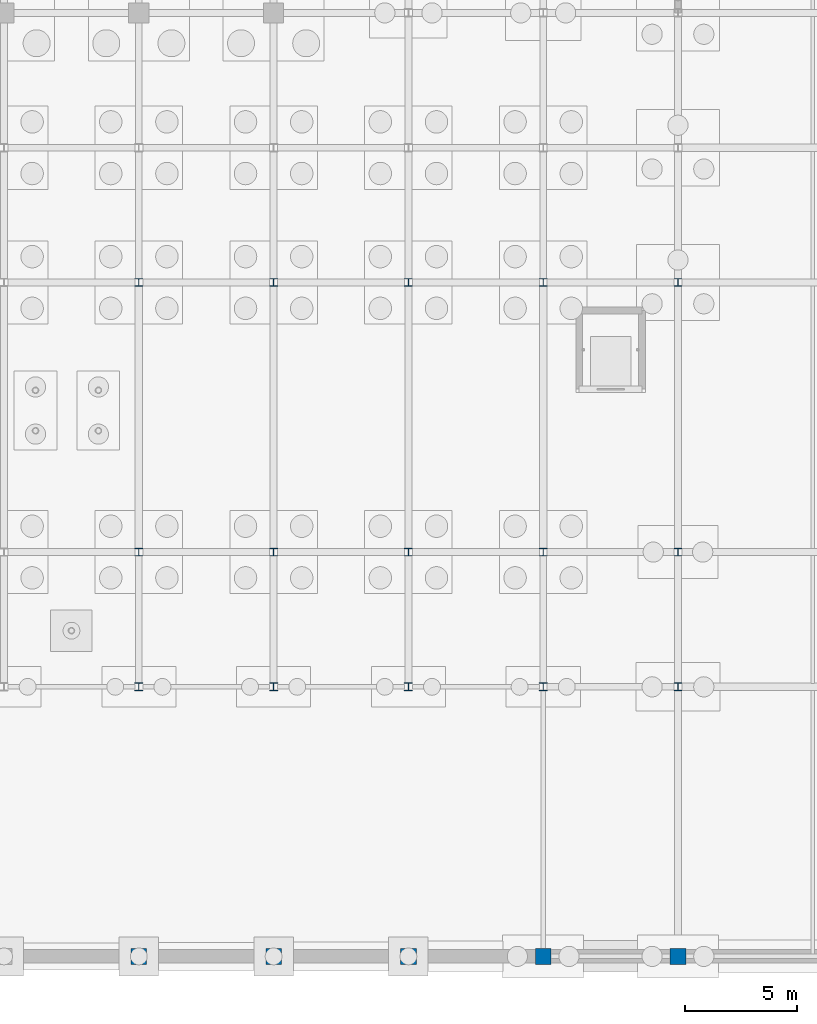
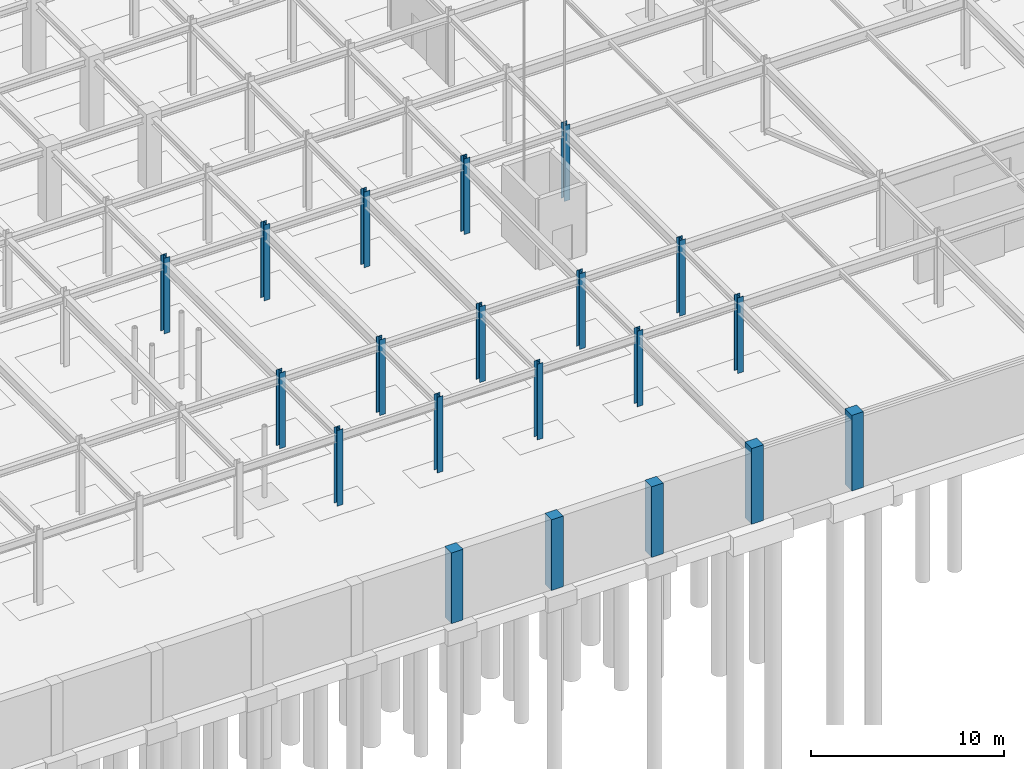
# One storey, part 18 of 69: 20 columns.
"""IFC4 building model written with IfcOpenShell, lengths in metres."""

from ifc_helpers import new_model, si_unit, direction, frame, origin, origin_2d, place, context, subcontext, project, spatial, rectangle, i_section, extrude, material, material_profile, profile_set, type_object, element, save


model = new_model("IFC4")

# Units and contexts
model_context = context("Model", 3, precision=1e-05, world=origin(), true_north=direction((0.0, 1.0)))
body_context = subcontext(model_context, "Body", "Model", "MODEL_VIEW")
ifc_project = project(units=[si_unit("LENGTHUNIT", "METRE"), si_unit("AREAUNIT", "SQUARE_METRE"), si_unit("VOLUMEUNIT", "CUBIC_METRE"), si_unit("PLANEANGLEUNIT", "RADIAN"), si_unit("MASSUNIT", "GRAM", prefix="KILO")], contexts=[model_context])

# Site, building, storey
site_placement = place(None, origin())
site = spatial("IfcSite", under=ifc_project, at=site_placement, CompositionType="ELEMENT")
building_placement = place(site_placement, origin())
building = spatial("IfcBuilding", under=site, at=building_placement, Name="Zlatovratsky Civic Hall", CompositionType="ELEMENT")
storey_placement = place(building_placement, frame((0.0, 0.0, -4.800048828125)))
storey = spatial("IfcBuildingStorey", under=building, at=storey_placement, Name="B1", CompositionType="ELEMENT", Elevation=-4.800048828125)

# Columns
ifc_material_1 = material(Name="Concrete C35/45 (B40)", Category="concrete")
ifc_material_profile_1 = material_profile(ifc_material_1, rectangle(XDim=0.699951171875, YDim=0.699951171875, at=origin_2d()), Name="RC 700x700")
ifc_profile_set_1 = profile_set([ifc_material_profile_1], Name="Concrete C35/45 (B40)")
column_type_1 = type_object("IfcColumnType", Name="Col_CorePier_RC700", PredefinedType="COLUMN", material=ifc_profile_set_1)
for number, where, z_axis, x_axis, name in (
    (1, (96.0, 0.0, 0.0), (0.0, 0.0, 1.0), (1.0, 0.0, 0.0), "CL-0016"),
    (2, (102.0, 0.0, 0.0), (0.0, 0.0, 1.0), (1.0, 0.0, 0.0), "CL-0017"),
    (3, (108.0, 0.0, 0.0), (0.0, 0.0, 1.0), (1.0, 0.0, 0.0), "CL-0018"),
):
    element("IfcColumn", number, at=place(storey_placement, frame(where, z_axis=z_axis, x_axis=x_axis)), inside=storey, type_object=column_type_1, Name=name, PredefinedType="COLUMN", context=body_context, shape_type="SweptSolid", body=[
        extrude(rectangle(XDim=0.699951171875, YDim=0.699951171875, at=origin_2d()), origin(), (0.0, 0.0, 1.0), 4.47998046875),
    ])
for number, where, z_axis, x_axis, name in (
    (4, (114.0, 0.0, 0.0), (0.0, 0.0, 1.0), (1.0, 0.0, 0.0), "CL-0019"),
    (5, (120.0, 0.0, 0.0), (0.0, 0.0, 1.0), (1.0, 0.0, 0.0), "CL-0020"),
):
    element("IfcColumn", number, at=place(storey_placement, frame(where, z_axis=z_axis, x_axis=x_axis)), inside=storey, type_object=column_type_1, Name=name, PredefinedType="COLUMN", context=body_context, shape_type="SweptSolid", body=[
        extrude(rectangle(XDim=0.699951171875, YDim=0.699951171875, at=origin_2d()), origin(), (0.0, 0.0, 1.0), 4.800048828125),
    ])
ifc_material_2 = material(Name="Steel S355", Category="steel")
ifc_material_profile_2 = material_profile(ifc_material_2, i_section(OverallWidth=0.35009765625, OverallDepth=0.35009765625, WebThickness=0.011962890625, FlangeThickness=0.01904296875, FilletRadius=0.02001953125, at=origin_2d()), Name="35K2")
ifc_profile_set_2 = profile_set([ifc_material_profile_2], Name="Steel S355")
column_type_2 = type_object("IfcColumnType", Name="Col_Steel_35K2", PredefinedType="COLUMN", material=ifc_profile_set_2)
for number, where, z_axis, x_axis, name in (
    (6, (96.0, 12.0, 0.0), (0.0, 0.0, 1.0), (1.0, 0.0, 0.0), "CL-0039"),
    (7, (102.0, 12.0, 0.0), (0.0, 0.0, 1.0), (1.0, 0.0, 0.0), "CL-0040"),
    (8, (108.0, 12.0, 0.0), (0.0, 0.0, 1.0), (1.0, 0.0, 0.0), "CL-0041"),
    (9, (114.0, 12.0, 0.0), (0.0, 0.0, 1.0), (1.0, 0.0, 0.0), "CL-0042"),
    (10, (120.0, 12.0, 0.0), (0.0, 0.0, 1.0), (1.0, 0.0, 0.0), "CL-0043"),
    (11, (96.0, 18.0, 0.0), (0.0, 0.0, 1.0), (1.0, 0.0, 0.0), "CL-0062"),
    (12, (102.0, 18.0, 0.0), (0.0, 0.0, 1.0), (1.0, 0.0, 0.0), "CL-0063"),
    (13, (108.0, 18.0, 0.0), (0.0, 0.0, 1.0), (1.0, 0.0, 0.0), "CL-0064"),
    (14, (114.0, 18.0, 0.0), (0.0, 0.0, 1.0), (1.0, 0.0, 0.0), "CL-0065"),
    (15, (120.0, 18.0, 0.0), (0.0, 0.0, 1.0), (1.0, 0.0, 0.0), "CL-0066"),
    (16, (96.0, 30.0, 0.0), (0.0, 0.0, 1.0), (1.0, 0.0, 0.0), "CL-0085"),
    (17, (102.0, 30.0, 0.0), (0.0, 0.0, 1.0), (1.0, 0.0, 0.0), "CL-0086"),
    (18, (108.0, 30.0, 0.0), (0.0, 0.0, 1.0), (1.0, 0.0, 0.0), "CL-0087"),
    (19, (114.0, 30.0, 0.0), (0.0, 0.0, 1.0), (1.0, 0.0, 0.0), "CL-0088"),
    (20, (120.0, 30.0, 0.0), (0.0, 0.0, 1.0), (1.0, 0.0, 0.0), "CL-0089"),
):
    element("IfcColumn", number, at=place(storey_placement, frame(where, z_axis=z_axis, x_axis=x_axis)), inside=storey, type_object=column_type_2, Name=name, PredefinedType="COLUMN", context=body_context, shape_type="SweptSolid", body=[
        extrude(i_section(OverallWidth=0.35009765625, OverallDepth=0.35009765625, WebThickness=0.011962890625, FlangeThickness=0.01904296875, FilletRadius=0.02001953125, at=origin_2d()), origin(), (0.0, 0.0, 1.0), 4.800048828125),
    ])

save(model, "model.ifc")
